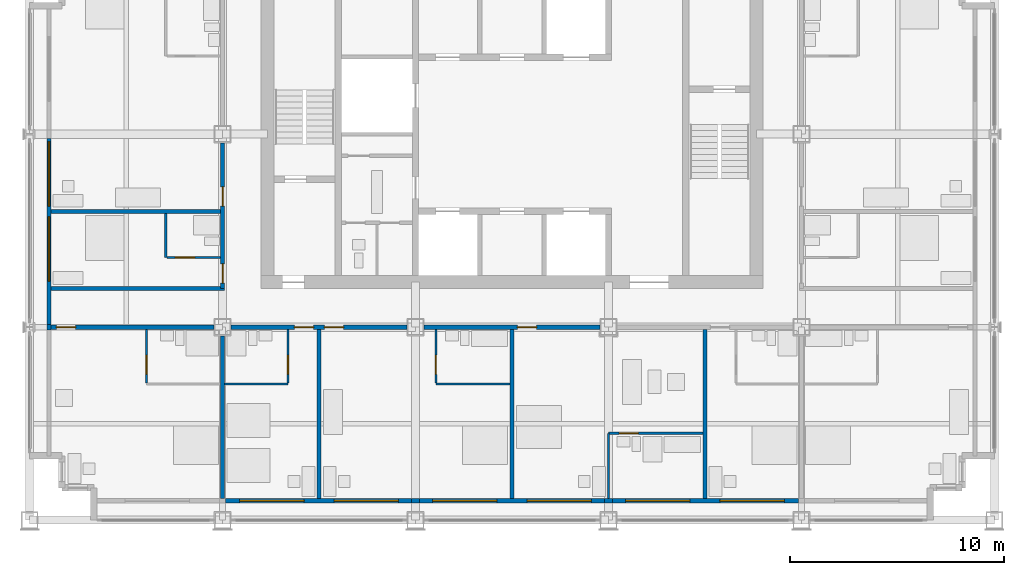
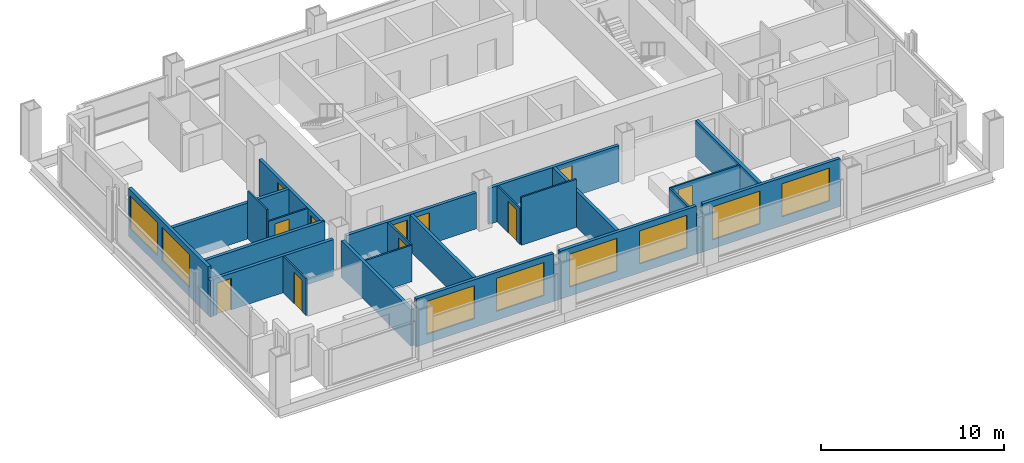
# One storey, part 7 of 13: 26 walls, 11 doors, 8 windows, 19 openings.
"""IFC4 building model written with IfcOpenShell, lengths in metres."""

from ifc_helpers import new_model, si_unit, direction, frame, frame_2d, origin, place, context, subcontext, project, spatial, rectangle, extrude, material, layer, layer_set, type_object, element, fill, save


model = new_model("IFC4")

# Units and contexts
model_context = context("Model", 3, precision=1e-05, world=origin(), true_north=direction((0.0, 1.0)))
body_context = subcontext(model_context, "Body", "Model", "MODEL_VIEW")
ifc_project = project(units=[si_unit("LENGTHUNIT", "METRE"), si_unit("AREAUNIT", "SQUARE_METRE"), si_unit("VOLUMEUNIT", "CUBIC_METRE"), si_unit("PLANEANGLEUNIT", "RADIAN"), si_unit("MASSUNIT", "GRAM", prefix="KILO")], contexts=[model_context])

# Site, building, storey
site_placement = place(None, origin())
site = spatial("IfcSite", under=ifc_project, at=site_placement, CompositionType="ELEMENT")
building_placement = place(site_placement, origin())
building = spatial("IfcBuilding", under=site, at=building_placement, Name="Loomwork Tower", CompositionType="ELEMENT")
storey_placement = place(building_placement, frame((0.0, 0.0, 211.39990234375)))
storey = spatial("IfcBuildingStorey", under=building, at=storey_placement, Name="L58", CompositionType="ELEMENT", Elevation=211.39990234375)

# Wall, opening, door
ifc_material_1 = material(Name="Gypsum board on steel studs, one-hour", Category="steel")
ifc_layer_1 = layer(ifc_material_1, 0.199951171875)
ifc_layer_set_1 = layer_set([ifc_layer_1], Name="Corridor wall 200")
wall_type_1 = type_object("IfcWallType", Name="Corridor wall 200", PredefinedType="PARTITIONING", material=ifc_layer_set_1)
wall_1_placement = place(storey_placement, frame((1.0, 9.0, 0.0), z_axis=(0.0, 0.0, 1.0), x_axis=(1.0, 0.0, 0.0)))
wall_1 = element("IfcWall", 1, at=wall_1_placement, inside=storey, type_object=wall_type_1, Name="South corridor wall 1", PredefinedType="PARTITIONING", context=body_context, shape_type="SweptSolid", body=[
    extrude(rectangle(XDim=7.60009765625, YDim=0.199951171875, at=frame_2d((3.800048828125, 0.0))), origin(), (0.0, 0.0, 1.0), 2.43798828125),
])
opening_1_placement = place(wall_1_placement, frame((0.25, 0.0, 0.0)))
opening_1 = element("IfcOpeningElement", 2, at=opening_1_placement, cuts=wall_1, Name="Opening D1", PredefinedType="OPENING", context=body_context, shape_type="SweptSolid", body=[
    extrude(rectangle(XDim=0.89990234375, YDim=2.10009765625, at=frame_2d((0.449951171875, 1.050048828125))), frame((0.0, 0.10986328125, 0.0), z_axis=(0.0, -1.0, 0.0), x_axis=(1.0, 0.0, 0.0)), (0.0, 0.0, 1.0), 0.219970703125),
])
ifc_material_2 = material(Name="Hollow metal door and frame")
door_type_1 = type_object("IfcDoorType", Name="Guest room entry door 900", OperationType="SINGLE_SWING_LEFT", PredefinedType="DOOR", material=ifc_material_2)
door_1_placement = place(opening_1_placement, frame((0.89990234375, 0.0, 0.0), z_axis=(0.0, 0.0, 1.0), x_axis=(-1.0, 0.0, 0.0)))
door_1 = element("IfcDoor", 3, at=door_1_placement, inside=storey, type_object=door_type_1, Name="Guest room entry door L58 1", OperationType="SINGLE_SWING_RIGHT", OverallHeight=2.10009765625, OverallWidth=0.89990234375, PredefinedType="DOOR", context=body_context, shape_type="SweptSolid", body=[
    extrude(rectangle(XDim=0.89990234375, YDim=2.10009765625, at=frame_2d((0.449951171875, 1.050048828125))), frame((0.0, 0.02490234375, 0.0), z_axis=(0.0, -1.0, 0.0), x_axis=(1.0, 0.0, 0.0)), (0.0, 0.0, 1.0), 0.050048828125),
])
fill(opening_1, door_1)

# Wall, openings, doors
wall_2_placement = place(storey_placement, frame((9.39990234375, 9.0, 0.0), z_axis=(0.0, 0.0, 1.0), x_axis=(1.0, 0.0, 0.0)))
wall_2 = element("IfcWall", 4, at=wall_2_placement, inside=storey, type_object=wall_type_1, Name="South corridor wall 2", PredefinedType="PARTITIONING", context=body_context, shape_type="SweptSolid", body=[
    extrude(rectangle(XDim=8.2001953125, YDim=0.199951171875, at=frame_2d((4.10009765625, 0.0))), origin(), (0.0, 0.0, 1.0), 2.405029296875),
])
opening_2_placement = place(wall_2_placement, frame((2.949951171875, 0.0, 0.0)))
opening_2 = element("IfcOpeningElement", 5, at=opening_2_placement, cuts=wall_2, Name="Opening D1", PredefinedType="OPENING", context=body_context, shape_type="SweptSolid", body=[
    extrude(rectangle(XDim=0.89990234375, YDim=2.10009765625, at=frame_2d((0.449951171875, 1.050048828125))), frame((0.0, 0.10986328125, 0.0), z_axis=(0.0, -1.0, 0.0), x_axis=(1.0, 0.0, 0.0)), (0.0, 0.0, 1.0), 0.219970703125),
])
opening_3_placement = place(wall_2_placement, frame((4.35009765625, 0.0, 0.0)))
opening_3 = element("IfcOpeningElement", 6, at=opening_3_placement, cuts=wall_2, Name="Opening D1", PredefinedType="OPENING", context=body_context, shape_type="SweptSolid", body=[
    extrude(rectangle(XDim=0.89990234375, YDim=2.10009765625, at=frame_2d((0.449951171875, 1.050048828125))), frame((0.0, 0.10986328125, 0.0), z_axis=(0.0, -1.0, 0.0), x_axis=(1.0, 0.0, 0.0)), (0.0, 0.0, 1.0), 0.219970703125),
])
door_2_placement = place(opening_2_placement, frame((0.89990234375, 0.0, 0.0), z_axis=(0.0, 0.0, 1.0), x_axis=(-1.0, 0.0, 0.0)))
door_2 = element("IfcDoor", 7, at=door_2_placement, inside=storey, type_object=door_type_1, Name="Guest room entry door L58 2", OperationType="SINGLE_SWING_LEFT", OverallHeight=2.10009765625, OverallWidth=0.89990234375, PredefinedType="DOOR", context=body_context, shape_type="SweptSolid", body=[
    extrude(rectangle(XDim=0.89990234375, YDim=2.10009765625, at=frame_2d((0.449951171875, 1.050048828125))), frame((0.0, 0.02490234375, 0.0), z_axis=(0.0, -1.0, 0.0), x_axis=(1.0, 0.0, 0.0)), (0.0, 0.0, 1.0), 0.050048828125),
])
fill(opening_2, door_2)
door_3_placement = place(opening_3_placement, frame((0.89990234375, 0.0, 0.0), z_axis=(0.0, 0.0, 1.0), x_axis=(-1.0, 0.0, 0.0)))
door_3 = element("IfcDoor", 8, at=door_3_placement, inside=storey, type_object=door_type_1, Name="Guest room entry door L58 3", OperationType="SINGLE_SWING_RIGHT", OverallHeight=2.10009765625, OverallWidth=0.89990234375, PredefinedType="DOOR", context=body_context, shape_type="SweptSolid", body=[
    extrude(rectangle(XDim=0.89990234375, YDim=2.10009765625, at=frame_2d((0.449951171875, 1.050048828125))), frame((0.0, 0.02490234375, 0.0), z_axis=(0.0, -1.0, 0.0), x_axis=(1.0, 0.0, 0.0)), (0.0, 0.0, 1.0), 0.050048828125),
])
fill(opening_3, door_3)

# Wall, opening, door
wall_3_placement = place(storey_placement, frame((18.39990234375, 9.0, 0.0), z_axis=(0.0, 0.0, 1.0), x_axis=(1.0, 0.0, 0.0)))
wall_3 = element("IfcWall", 9, at=wall_3_placement, inside=storey, type_object=wall_type_1, Name="South corridor wall 3", PredefinedType="PARTITIONING", context=body_context, shape_type="SweptSolid", body=[
    extrude(rectangle(XDim=8.2001953125, YDim=0.199951171875, at=frame_2d((4.10009765625, 0.0))), origin(), (0.0, 0.0, 1.0), 2.405029296875),
])
opening_4_placement = place(wall_3_placement, frame((4.35009765625, 0.0, 0.0)))
opening_4 = element("IfcOpeningElement", 10, at=opening_4_placement, cuts=wall_3, Name="Opening D1", PredefinedType="OPENING", context=body_context, shape_type="SweptSolid", body=[
    extrude(rectangle(XDim=0.89990234375, YDim=2.10009765625, at=frame_2d((0.449951171875, 1.050048828125))), frame((0.0, 0.10986328125, 0.0), z_axis=(0.0, -1.0, 0.0), x_axis=(1.0, 0.0, 0.0)), (0.0, 0.0, 1.0), 0.219970703125),
])
door_4_placement = place(opening_4_placement, frame((0.89990234375, 0.0, 0.0), z_axis=(0.0, 0.0, 1.0), x_axis=(-1.0, 0.0, 0.0)))
door_4 = element("IfcDoor", 11, at=door_4_placement, inside=storey, type_object=door_type_1, Name="Guest room entry door L58 4", OperationType="SINGLE_SWING_RIGHT", OverallHeight=2.10009765625, OverallWidth=0.89990234375, PredefinedType="DOOR", context=body_context, shape_type="SweptSolid", body=[
    extrude(rectangle(XDim=0.89990234375, YDim=2.10009765625, at=frame_2d((0.449951171875, 1.050048828125))), frame((0.0, 0.02490234375, 0.0), z_axis=(0.0, -1.0, 0.0), x_axis=(1.0, 0.0, 0.0)), (0.0, 0.0, 1.0), 0.050048828125),
])
fill(opening_4, door_4)

# Wall, openings, doors
wall_4_placement = place(storey_placement, frame((9.0, 10.800048828125, 0.0), z_axis=(0.0, 0.0, 1.0), x_axis=(0.0, 1.0, 0.0)))
wall_4 = element("IfcWall", 12, at=wall_4_placement, inside=storey, type_object=wall_type_1, Name="West corridor wall 1", PredefinedType="PARTITIONING", context=body_context, shape_type="SweptSolid", body=[
    extrude(rectangle(XDim=6.800048828125, YDim=0.199951171875, at=frame_2d((3.39990234375, 0.0))), origin(), (0.0, 0.0, 1.0), 2.405029296875),
])
opening_5_placement = place(wall_4_placement, frame((0.25, 0.0, 0.0)))
opening_5 = element("IfcOpeningElement", 13, at=opening_5_placement, cuts=wall_4, Name="Opening D1", PredefinedType="OPENING", context=body_context, shape_type="SweptSolid", body=[
    extrude(rectangle(XDim=0.89990234375, YDim=2.10009765625, at=frame_2d((0.449951171875, 1.050048828125))), frame((0.0, 0.10986328125, 0.0), z_axis=(0.0, -1.0, 0.0), x_axis=(1.0, 0.0, 0.0)), (0.0, 0.0, 1.0), 0.219970703125),
])
opening_6_placement = place(wall_4_placement, frame((3.85009765625, 0.0, 0.0)))
opening_6 = element("IfcOpeningElement", 14, at=opening_6_placement, cuts=wall_4, Name="Opening D1", PredefinedType="OPENING", context=body_context, shape_type="SweptSolid", body=[
    extrude(rectangle(XDim=0.89990234375, YDim=2.10009765625, at=frame_2d((0.449951171875, 1.050048828125))), frame((0.0, 0.10986328125, 0.0), z_axis=(0.0, -1.0, 0.0), x_axis=(1.0, 0.0, 0.0)), (0.0, 0.0, 1.0), 0.219970703125),
])
door_5_placement = place(opening_5_placement, origin())
door_5 = element("IfcDoor", 15, at=door_5_placement, inside=storey, type_object=door_type_1, Name="Guest room entry door L58 7", OperationType="SINGLE_SWING_LEFT", OverallHeight=2.10009765625, OverallWidth=0.89990234375, PredefinedType="DOOR", context=body_context, shape_type="SweptSolid", body=[
    extrude(rectangle(XDim=0.89990234375, YDim=2.10009765625, at=frame_2d((0.449951171875, 1.050048828125))), frame((0.0, 0.02490234375, 0.0), z_axis=(0.0, -1.0, 0.0), x_axis=(1.0, 0.0, 0.0)), (0.0, 0.0, 1.0), 0.050048828125),
])
fill(opening_5, door_5)
door_6_placement = place(opening_6_placement, origin())
door_6 = element("IfcDoor", 16, at=door_6_placement, inside=storey, type_object=door_type_1, Name="Guest room entry door L58 8", OperationType="SINGLE_SWING_LEFT", OverallHeight=2.10009765625, OverallWidth=0.89990234375, PredefinedType="DOOR", context=body_context, shape_type="SweptSolid", body=[
    extrude(rectangle(XDim=0.89990234375, YDim=2.10009765625, at=frame_2d((0.449951171875, 1.050048828125))), frame((0.0, 0.02490234375, 0.0), z_axis=(0.0, -1.0, 0.0), x_axis=(1.0, 0.0, 0.0)), (0.0, 0.0, 1.0), 0.050048828125),
])
fill(opening_6, door_6)

# Wall
wall_5_placement = place(storey_placement, frame((1.0, 10.800048828125, 0.0), z_axis=(0.0, 0.0, 1.0), x_axis=(1.0, 0.0, 0.0)))
element("IfcWall", 17, at=wall_5_placement, inside=storey, type_object=wall_type_1, Name="West band end wall S", PredefinedType="PARTITIONING", context=body_context, shape_type="SweptSolid", body=[
    extrude(rectangle(XDim=8.10009765625, YDim=0.199951171875, at=frame_2d((4.050048828125, 0.0))), origin(), (0.0, 0.0, 1.0), 2.404052734375),
])

# Wall, opening, door
ifc_material_3 = material(Name="Cement board on steel studs", Category="steel")
ifc_layer_2 = layer(ifc_material_3, 0.10009765625)
ifc_layer_set_2 = layer_set([ifc_layer_2], Name="En-suite partition 100")
wall_type_2 = type_object("IfcWallType", Name="En-suite partition 100", PredefinedType="PARTITIONING", material=ifc_layer_set_2)
wall_6_placement = place(storey_placement, frame((5.449951171875, 8.89990234375, 0.0), z_axis=(0.0, 0.0, 1.0), x_axis=(0.0, -1.0, 0.0)))
wall_6 = element("IfcWall", 18, at=wall_6_placement, inside=storey, type_object=wall_type_2, Name="En-suite side wall L58 room 1", PredefinedType="PARTITIONING", context=body_context, shape_type="SweptSolid", body=[
    extrude(rectangle(XDim=2.5, YDim=0.10009765625, at=frame_2d((1.25, 0.0))), origin(), (0.0, 0.0, 1.0), 2.43798828125),
])
opening_7_placement = place(wall_6_placement, frame((1.199951171875, 0.0, 0.0)))
opening_7 = element("IfcOpeningElement", 19, at=opening_7_placement, cuts=wall_6, Name="Opening D3", PredefinedType="OPENING", context=body_context, shape_type="SweptSolid", body=[
    extrude(rectangle(XDim=0.89990234375, YDim=2.10009765625, at=frame_2d((0.449951171875, 1.050048828125))), frame((0.0, 0.06005859375, 0.0), z_axis=(0.0, -1.0, 0.0), x_axis=(1.0, 0.0, 0.0)), (0.0, 0.0, 1.0), 0.1201171875),
])
ifc_material_4 = material(Name="Hollow metal door and frame")
door_type_2 = type_object("IfcDoorType", Name="Accessible en-suite door 900", OperationType="SLIDING_TO_LEFT", PredefinedType="DOOR", material=ifc_material_4)
door_7_placement = place(opening_7_placement, origin())
door_7 = element("IfcDoor", 20, at=door_7_placement, inside=storey, type_object=door_type_2, Name="Accessible en-suite door room 1", OperationType="SLIDING_TO_LEFT", OverallHeight=2.10009765625, OverallWidth=0.89990234375, PredefinedType="DOOR", context=body_context, shape_type="SweptSolid", body=[
    extrude(rectangle(XDim=0.89990234375, YDim=2.10009765625, at=frame_2d((0.449951171875, 1.050048828125))), frame((0.0, 0.02490234375, 0.0), z_axis=(0.0, -1.0, 0.0), x_axis=(1.0, 0.0, 0.0)), (0.0, 0.0, 1.0), 0.050048828125),
])
fill(opening_7, door_7)

# Wall
wall_7_placement = place(storey_placement, frame((9.10009765625, 6.35009765625, 0.0), z_axis=(0.0, 0.0, 1.0), x_axis=(1.0, 0.0, 0.0)))
element("IfcWall", 21, at=wall_7_placement, inside=storey, type_object=wall_type_2, Name="En-suite wall L58 room 2", PredefinedType="PARTITIONING", context=body_context, shape_type="SweptSolid", body=[
    extrude(rectangle(XDim=2.949951171875, YDim=0.10009765625, at=frame_2d((1.47509765625, 0.0))), origin(), (0.0, 0.0, 1.0), 2.43798828125),
])

# Wall, opening, door
wall_8_placement = place(storey_placement, frame((12.050048828125, 8.89990234375, 0.0), z_axis=(0.0, 0.0, 1.0), x_axis=(0.0, -1.0, 0.0)))
wall_8 = element("IfcWall", 22, at=wall_8_placement, inside=storey, type_object=wall_type_2, Name="En-suite side wall L58 room 2", PredefinedType="PARTITIONING", context=body_context, shape_type="SweptSolid", body=[
    extrude(rectangle(XDim=2.5, YDim=0.10009765625, at=frame_2d((1.25, 0.0))), origin(), (0.0, 0.0, 1.0), 2.404052734375),
])
opening_8_placement = place(wall_8_placement, frame((1.199951171875, 0.0, 0.0)))
opening_8 = element("IfcOpeningElement", 23, at=opening_8_placement, cuts=wall_8, Name="Opening D2", PredefinedType="OPENING", context=body_context, shape_type="SweptSolid", body=[
    extrude(rectangle(XDim=0.89990234375, YDim=2.10009765625, at=frame_2d((0.449951171875, 1.050048828125))), frame((0.0, 0.06005859375, 0.0), z_axis=(0.0, -1.0, 0.0), x_axis=(1.0, 0.0, 0.0)), (0.0, 0.0, 1.0), 0.1201171875),
])
ifc_material_5 = material(Name="Hollow metal door and frame")
door_type_3 = type_object("IfcDoorType", Name="En-suite door 900", OperationType="SINGLE_SWING_LEFT", PredefinedType="DOOR", material=ifc_material_5)
door_8_placement = place(opening_8_placement, frame((0.89990234375, 0.0, 0.0), z_axis=(0.0, 0.0, 1.0), x_axis=(-1.0, 0.0, 0.0)))
door_8 = element("IfcDoor", 24, at=door_8_placement, inside=storey, type_object=door_type_3, Name="En-suite door room 2", OperationType="SINGLE_SWING_LEFT", OverallHeight=2.10009765625, OverallWidth=0.89990234375, PredefinedType="DOOR", context=body_context, shape_type="SweptSolid", body=[
    extrude(rectangle(XDim=0.89990234375, YDim=2.10009765625, at=frame_2d((0.449951171875, 1.050048828125))), frame((0.0, 0.02490234375, 0.0), z_axis=(0.0, -1.0, 0.0), x_axis=(1.0, 0.0, 0.0)), (0.0, 0.0, 1.0), 0.050048828125),
])
fill(opening_8, door_8)

# Wall
wall_9_placement = place(storey_placement, frame((18.949951171875, 6.35009765625, 0.0), z_axis=(0.0, 0.0, 1.0), x_axis=(1.0, 0.0, 0.0)))
element("IfcWall", 25, at=wall_9_placement, inside=storey, type_object=wall_type_2, Name="En-suite wall L58 room 3", PredefinedType="PARTITIONING", context=body_context, shape_type="SweptSolid", body=[
    extrude(rectangle(XDim=3.449951171875, YDim=0.10009765625, at=frame_2d((1.72509765625, 0.0))), origin(), (0.0, 0.0, 1.0), 3.2001953125),
])

# Wall, opening, door
wall_10_placement = place(storey_placement, frame((18.949951171875, 8.89990234375, 0.0), z_axis=(0.0, 0.0, 1.0), x_axis=(0.0, -1.0, 0.0)))
wall_10 = element("IfcWall", 26, at=wall_10_placement, inside=storey, type_object=wall_type_2, Name="En-suite side wall L58 room 3", PredefinedType="PARTITIONING", context=body_context, shape_type="SweptSolid", body=[
    extrude(rectangle(XDim=2.5, YDim=0.10009765625, at=frame_2d((1.25, 0.0))), origin(), (0.0, 0.0, 1.0), 2.404052734375),
])
opening_9_placement = place(wall_10_placement, frame((1.199951171875, 0.0, 0.0)))
opening_9 = element("IfcOpeningElement", 27, at=opening_9_placement, cuts=wall_10, Name="Opening D2", PredefinedType="OPENING", context=body_context, shape_type="SweptSolid", body=[
    extrude(rectangle(XDim=0.89990234375, YDim=2.10009765625, at=frame_2d((0.449951171875, 1.050048828125))), frame((0.0, 0.06005859375, 0.0), z_axis=(0.0, -1.0, 0.0), x_axis=(1.0, 0.0, 0.0)), (0.0, 0.0, 1.0), 0.1201171875),
])
door_9_placement = place(opening_9_placement, origin())
door_9 = element("IfcDoor", 28, at=door_9_placement, inside=storey, type_object=door_type_3, Name="En-suite door room 3", OperationType="SINGLE_SWING_RIGHT", OverallHeight=2.10009765625, OverallWidth=0.89990234375, PredefinedType="DOOR", context=body_context, shape_type="SweptSolid", body=[
    extrude(rectangle(XDim=0.89990234375, YDim=2.10009765625, at=frame_2d((0.449951171875, 1.050048828125))), frame((0.0, 0.02490234375, 0.0), z_axis=(0.0, -1.0, 0.0), x_axis=(1.0, 0.0, 0.0)), (0.0, 0.0, 1.0), 0.050048828125),
])
fill(opening_9, door_9)

wall_11_placement = place(storey_placement, frame((27.0, 4.050048828125, 0.0), z_axis=(0.0, 0.0, 1.0), x_axis=(1.0, 0.0, 0.0)))
wall_11 = element("IfcWall", 29, at=wall_11_placement, inside=storey, type_object=wall_type_2, Name="Spa bathroom wall L58 room 4", PredefinedType="PARTITIONING", context=body_context, shape_type="SweptSolid", body=[
    extrude(rectangle(XDim=4.39990234375, YDim=0.10009765625, at=frame_2d((2.199951171875, 0.0))), origin(), (0.0, 0.0, 1.0), 2.404052734375),
])
opening_10_placement = place(wall_11_placement, frame((0.5, 0.0, 0.0)))
opening_10 = element("IfcOpeningElement", 30, at=opening_10_placement, cuts=wall_11, Name="Opening D2", PredefinedType="OPENING", context=body_context, shape_type="SweptSolid", body=[
    extrude(rectangle(XDim=0.89990234375, YDim=2.10009765625, at=frame_2d((0.449951171875, 1.050048828125))), frame((0.0, 0.06005859375, 0.0), z_axis=(0.0, -1.0, 0.0), x_axis=(1.0, 0.0, 0.0)), (0.0, 0.0, 1.0), 0.1201171875),
])
door_10_placement = place(opening_10_placement, frame((0.89990234375, 0.0, 0.0), z_axis=(0.0, 0.0, 1.0), x_axis=(-1.0, 0.0, 0.0)))
door_10 = element("IfcDoor", 31, at=door_10_placement, inside=storey, type_object=door_type_3, Name="Spa bathroom door room 4", OperationType="SINGLE_SWING_RIGHT", OverallHeight=2.10009765625, OverallWidth=0.89990234375, PredefinedType="DOOR", context=body_context, shape_type="SweptSolid", body=[
    extrude(rectangle(XDim=0.89990234375, YDim=2.10009765625, at=frame_2d((0.449951171875, 1.050048828125))), frame((0.0, 0.02490234375, 0.0), z_axis=(0.0, -1.0, 0.0), x_axis=(1.0, 0.0, 0.0)), (0.0, 0.0, 1.0), 0.050048828125),
])
fill(opening_10, door_10)

# Walls
wall_12_placement = place(storey_placement, frame((27.0, 4.050048828125, 0.0), z_axis=(0.0, 0.0, 1.0), x_axis=(0.0, -1.0, 0.0)))
element("IfcWall", 32, at=wall_12_placement, inside=storey, type_object=wall_type_2, Name="Spa bathroom side wall L58 room 4", PredefinedType="PARTITIONING", context=body_context, shape_type="SweptSolid", body=[
    extrude(rectangle(XDim=3.050048828125, YDim=0.10009765625, at=frame_2d((1.52490234375, 0.0))), origin(), (0.0, 0.0, 1.0), 2.405029296875),
])
wall_13_placement = place(storey_placement, frame((6.35009765625, 12.25, 0.0), z_axis=(0.0, 0.0, 1.0), x_axis=(0.0, 1.0, 0.0)))
element("IfcWall", 33, at=wall_13_placement, inside=storey, type_object=wall_type_2, Name="En-suite wall L58 room 7", PredefinedType="PARTITIONING", context=body_context, shape_type="SweptSolid", body=[
    extrude(rectangle(XDim=2.050048828125, YDim=0.10009765625, at=frame_2d((1.02490234375, 0.0))), origin(), (0.0, 0.0, 1.0), 3.2001953125),
])

# Wall, opening, door
wall_14_placement = place(storey_placement, frame((8.89990234375, 12.25, 0.0), z_axis=(0.0, 0.0, 1.0), x_axis=(-1.0, 0.0, 0.0)))
wall_14 = element("IfcWall", 34, at=wall_14_placement, inside=storey, type_object=wall_type_2, Name="En-suite side wall L58 room 7", PredefinedType="PARTITIONING", context=body_context, shape_type="SweptSolid", body=[
    extrude(rectangle(XDim=2.5, YDim=0.10009765625, at=frame_2d((1.25, 0.0))), origin(), (0.0, 0.0, 1.0), 2.404052734375),
])
opening_11_placement = place(wall_14_placement, frame((1.199951171875, 0.0, 0.0)))
opening_11 = element("IfcOpeningElement", 35, at=opening_11_placement, cuts=wall_14, Name="Opening D2", PredefinedType="OPENING", context=body_context, shape_type="SweptSolid", body=[
    extrude(rectangle(XDim=0.89990234375, YDim=2.10009765625, at=frame_2d((0.449951171875, 1.050048828125))), frame((0.0, 0.06005859375, 0.0), z_axis=(0.0, -1.0, 0.0), x_axis=(1.0, 0.0, 0.0)), (0.0, 0.0, 1.0), 0.1201171875),
])
door_11_placement = place(opening_11_placement, frame((0.89990234375, 0.0, 0.0), z_axis=(0.0, 0.0, 1.0), x_axis=(-1.0, 0.0, 0.0)))
door_11 = element("IfcDoor", 36, at=door_11_placement, inside=storey, type_object=door_type_3, Name="En-suite door room 7", OperationType="SINGLE_SWING_LEFT", OverallHeight=2.10009765625, OverallWidth=0.89990234375, PredefinedType="DOOR", context=body_context, shape_type="SweptSolid", body=[
    extrude(rectangle(XDim=0.89990234375, YDim=2.10009765625, at=frame_2d((0.449951171875, 1.050048828125))), frame((0.0, 0.02490234375, 0.0), z_axis=(0.0, -1.0, 0.0), x_axis=(1.0, 0.0, 0.0)), (0.0, 0.0, 1.0), 0.050048828125),
])
fill(opening_11, door_11)

# Walls
ifc_material_6 = material(Name="Gypsum board on steel studs, acoustic", Category="steel")
ifc_layer_3 = layer(ifc_material_6, 0.199951171875)
ifc_layer_set_3 = layer_set([ifc_layer_3], Name="Guest room party wall 200")
wall_type_3 = type_object("IfcWallType", Name="Guest room party wall 200", PredefinedType="PARTITIONING", material=ifc_layer_set_3)
wall_15_placement = place(storey_placement, frame((9.0, 8.60009765625, 0.0), z_axis=(0.0, 0.0, 1.0), x_axis=(0.0, -1.0, 0.0)))
element("IfcWall", 37, at=wall_15_placement, inside=storey, type_object=wall_type_3, Name="Guest room party wall S 9", PredefinedType="PARTITIONING", context=body_context, shape_type="SweptSolid", body=[
    extrude(rectangle(XDim=7.60009765625, YDim=0.199951171875, at=frame_2d((3.800048828125, 0.0))), origin(), (0.0, 0.0, 1.0), 2.43798828125),
])
for number, where, z_axis, x_axis, name in (
    (38, (13.5, 8.89990234375, 0.0), (0.0, 0.0, 1.0), (0.0, -1.0, 0.0), "Guest room party wall S 13.5"),
    (39, (22.5, 8.89990234375, 0.0), (0.0, 0.0, 1.0), (0.0, -1.0, 0.0), "Guest room party wall S 22.5"),
    (40, (31.5, 8.89990234375, 0.0), (0.0, 0.0, 1.0), (0.0, -1.0, 0.0), "Guest room party wall S 31.5"),
    (41, (8.89990234375, 14.39990234375, 0.0), (0.0, 0.0, 1.0), (-1.0, 0.0, 0.0), "Guest room party wall W 14.4"),
):
    element("IfcWall", number, at=place(storey_placement, frame(where, z_axis=z_axis, x_axis=x_axis)), inside=storey, type_object=wall_type_3, Name=name, PredefinedType="PARTITIONING", context=body_context, shape_type="SweptSolid", body=[
        extrude(rectangle(XDim=7.89990234375, YDim=0.199951171875, at=frame_2d((3.949951171875, 0.0))), origin(), (0.0, 0.0, 1.0), 2.404052734375),
    ])

# Wall, openings, windows
ifc_material_7 = material(Name="Insulated steel stud wall with gypsum lining", Category="steel")
ifc_layer_4 = layer(ifc_material_7, 0.199951171875)
ifc_layer_set_4 = layer_set([ifc_layer_4], Name="Inner skin wall 200")
wall_type_4 = type_object("IfcWallType", Name="Inner skin wall 200", PredefinedType="SOLIDWALL", material=ifc_layer_set_4)
wall_16_placement = place(storey_placement, frame((9.13525390625, 0.89990234375, 0.0), z_axis=(0.0, 0.0, 1.0), x_axis=(1.0, 0.0, 0.0)))
wall_16 = element("IfcWall", 42, at=wall_16_placement, inside=storey, type_object=wall_type_4, Name="Inner skin wall S bay 3", PredefinedType="SOLIDWALL", context=body_context, shape_type="SweptSolid", body=[
    extrude(rectangle(XDim=8.6708984375, YDim=0.199951171875, at=frame_2d((4.33544921875, 0.0))), origin(), (0.0, 0.0, 1.0), 3.2001953125),
])
opening_12_placement = place(wall_16_placement, frame((0.664794921875, 0.0, 0.60009765625)))
opening_12 = element("IfcOpeningElement", 43, at=opening_12_placement, cuts=wall_16, Name="Opening CH1", PredefinedType="OPENING", context=body_context, shape_type="SweptSolid", body=[
    extrude(rectangle(XDim=3.0, YDim=2.199951171875, at=frame_2d((1.5, 1.10009765625))), frame((0.0, 0.10986328125, 0.0), z_axis=(0.0, -1.0, 0.0), x_axis=(1.0, 0.0, 0.0)), (0.0, 0.0, 1.0), 0.219970703125),
])
opening_13_placement = place(wall_16_placement, frame((5.064697265625, 0.0, 0.60009765625)))
opening_13 = element("IfcOpeningElement", 44, at=opening_13_placement, cuts=wall_16, Name="Opening CH1", PredefinedType="OPENING", context=body_context, shape_type="SweptSolid", body=[
    extrude(rectangle(XDim=3.0, YDim=2.199951171875, at=frame_2d((1.5, 1.10009765625))), frame((0.0, 0.10986328125, 0.0), z_axis=(0.0, -1.0, 0.0), x_axis=(1.0, 0.0, 0.0)), (0.0, 0.0, 1.0), 0.219970703125),
])
ifc_material_8 = material(Name="Aluminium frame with clear insulated glass", Category="aluminium")
window_type = type_object("IfcWindowType", Name="Chicago window 3000", PartitioningType="TRIPLE_PANEL_VERTICAL", PredefinedType="WINDOW", material=ifc_material_8)
window_1_placement = place(opening_12_placement, origin())
window_1 = element("IfcWindow", 45, at=window_1_placement, inside=storey, type_object=window_type, Name="Chicago window L58 bay 2", OverallHeight=2.199951171875, OverallWidth=3.0, PartitioningType="TRIPLE_PANEL_VERTICAL", PredefinedType="WINDOW", context=body_context, shape_type="SweptSolid", body=[
    extrude(rectangle(XDim=3.0, YDim=2.199951171875, at=frame_2d((1.5, 1.10009765625))), frame((0.0, 0.030029296875, 0.0), z_axis=(0.0, -1.0, 0.0), x_axis=(1.0, 0.0, 0.0)), (0.0, 0.0, 1.0), 0.06005859375),
])
fill(opening_12, window_1)
window_2_placement = place(opening_13_placement, origin())
window_2 = element("IfcWindow", 46, at=window_2_placement, inside=storey, type_object=window_type, Name="Chicago window L58 bay 2", OverallHeight=2.199951171875, OverallWidth=3.0, PartitioningType="TRIPLE_PANEL_VERTICAL", PredefinedType="WINDOW", context=body_context, shape_type="SweptSolid", body=[
    extrude(rectangle(XDim=3.0, YDim=2.199951171875, at=frame_2d((1.5, 1.10009765625))), frame((0.0, 0.030029296875, 0.0), z_axis=(0.0, -1.0, 0.0), x_axis=(1.0, 0.0, 0.0)), (0.0, 0.0, 1.0), 0.06005859375),
])
fill(opening_13, window_2)

# Wall
wall_17_placement = place(storey_placement, frame((17.80615234375, 0.89990234375, 0.0), z_axis=(0.0, 0.0, 1.0), x_axis=(1.0, 0.0, 0.0)))
element("IfcWall", 47, at=wall_17_placement, inside=storey, type_object=wall_type_4, Name="Inner skin wall S bay 4", PredefinedType="SOLIDWALL", context=body_context, shape_type="SweptSolid", body=[
    extrude(rectangle(XDim=0.3876953125, YDim=0.199951171875, at=frame_2d((0.19384765625, 0.0))), origin(), (0.0, 0.0, 1.0), 2.404052734375),
])

# Wall, openings, windows
wall_18_placement = place(storey_placement, frame((18.19384765625, 0.89990234375, 0.0), z_axis=(0.0, 0.0, 1.0), x_axis=(1.0, 0.0, 0.0)))
wall_18 = element("IfcWall", 48, at=wall_18_placement, inside=storey, type_object=wall_type_4, Name="Inner skin wall S bay 5", PredefinedType="SOLIDWALL", context=body_context, shape_type="SweptSolid", body=[
    extrude(rectangle(XDim=8.6123046875, YDim=0.199951171875, at=frame_2d((4.30615234375, 0.0))), origin(), (0.0, 0.0, 1.0), 3.2001953125),
])
opening_14_placement = place(wall_18_placement, frame((0.606201171875, 0.0, 0.60009765625)))
opening_14 = element("IfcOpeningElement", 49, at=opening_14_placement, cuts=wall_18, Name="Opening CH1", PredefinedType="OPENING", context=body_context, shape_type="SweptSolid", body=[
    extrude(rectangle(XDim=3.0, YDim=2.199951171875, at=frame_2d((1.5, 1.10009765625))), frame((0.0, 0.10986328125, 0.0), z_axis=(0.0, -1.0, 0.0), x_axis=(1.0, 0.0, 0.0)), (0.0, 0.0, 1.0), 0.219970703125),
])
opening_15_placement = place(wall_18_placement, frame((5.006103515625, 0.0, 0.60009765625)))
opening_15 = element("IfcOpeningElement", 50, at=opening_15_placement, cuts=wall_18, Name="Opening CH1", PredefinedType="OPENING", context=body_context, shape_type="SweptSolid", body=[
    extrude(rectangle(XDim=3.0, YDim=2.199951171875, at=frame_2d((1.5, 1.10009765625))), frame((0.0, 0.10986328125, 0.0), z_axis=(0.0, -1.0, 0.0), x_axis=(1.0, 0.0, 0.0)), (0.0, 0.0, 1.0), 0.219970703125),
])
window_3_placement = place(opening_14_placement, origin())
window_3 = element("IfcWindow", 51, at=window_3_placement, inside=storey, type_object=window_type, Name="Chicago window L58 bay 3", OverallHeight=2.199951171875, OverallWidth=3.0, PartitioningType="TRIPLE_PANEL_VERTICAL", PredefinedType="WINDOW", context=body_context, shape_type="SweptSolid", body=[
    extrude(rectangle(XDim=3.0, YDim=2.199951171875, at=frame_2d((1.5, 1.10009765625))), frame((0.0, 0.030029296875, 0.0), z_axis=(0.0, -1.0, 0.0), x_axis=(1.0, 0.0, 0.0)), (0.0, 0.0, 1.0), 0.06005859375),
])
fill(opening_14, window_3)
window_4_placement = place(opening_15_placement, origin())
window_4 = element("IfcWindow", 52, at=window_4_placement, inside=storey, type_object=window_type, Name="Chicago window L58 bay 3", OverallHeight=2.199951171875, OverallWidth=3.0, PartitioningType="TRIPLE_PANEL_VERTICAL", PredefinedType="WINDOW", context=body_context, shape_type="SweptSolid", body=[
    extrude(rectangle(XDim=3.0, YDim=2.199951171875, at=frame_2d((1.5, 1.10009765625))), frame((0.0, 0.030029296875, 0.0), z_axis=(0.0, -1.0, 0.0), x_axis=(1.0, 0.0, 0.0)), (0.0, 0.0, 1.0), 0.06005859375),
])
fill(opening_15, window_4)

# Wall
wall_19_placement = place(storey_placement, frame((26.80615234375, 0.89990234375, 0.0), z_axis=(0.0, 0.0, 1.0), x_axis=(1.0, 0.0, 0.0)))
element("IfcWall", 53, at=wall_19_placement, inside=storey, type_object=wall_type_4, Name="Inner skin wall S bay 6", PredefinedType="SOLIDWALL", context=body_context, shape_type="SweptSolid", body=[
    extrude(rectangle(XDim=0.3876953125, YDim=0.199951171875, at=frame_2d((0.19384765625, 0.0))), origin(), (0.0, 0.0, 1.0), 2.404052734375),
])

# Wall, openings, windows
wall_20_placement = place(storey_placement, frame((27.19384765625, 0.89990234375, 0.0), z_axis=(0.0, 0.0, 1.0), x_axis=(1.0, 0.0, 0.0)))
wall_20 = element("IfcWall", 54, at=wall_20_placement, inside=storey, type_object=wall_type_4, Name="Inner skin wall S bay 7", PredefinedType="SOLIDWALL", context=body_context, shape_type="SweptSolid", body=[
    extrude(rectangle(XDim=8.670654296875, YDim=0.199951171875, at=frame_2d((4.33544921875, 0.0))), origin(), (0.0, 0.0, 1.0), 3.2001953125),
])
opening_16_placement = place(wall_20_placement, frame((0.606201171875, 0.0, 0.60009765625)))
opening_16 = element("IfcOpeningElement", 55, at=opening_16_placement, cuts=wall_20, Name="Opening CH1", PredefinedType="OPENING", context=body_context, shape_type="SweptSolid", body=[
    extrude(rectangle(XDim=3.0, YDim=2.199951171875, at=frame_2d((1.5, 1.10009765625))), frame((0.0, 0.10986328125, 0.0), z_axis=(0.0, -1.0, 0.0), x_axis=(1.0, 0.0, 0.0)), (0.0, 0.0, 1.0), 0.219970703125),
])
opening_17_placement = place(wall_20_placement, frame((5.006103515625, 0.0, 0.60009765625)))
opening_17 = element("IfcOpeningElement", 56, at=opening_17_placement, cuts=wall_20, Name="Opening CH1", PredefinedType="OPENING", context=body_context, shape_type="SweptSolid", body=[
    extrude(rectangle(XDim=3.0, YDim=2.199951171875, at=frame_2d((1.5, 1.10009765625))), frame((0.0, 0.10986328125, 0.0), z_axis=(0.0, -1.0, 0.0), x_axis=(1.0, 0.0, 0.0)), (0.0, 0.0, 1.0), 0.219970703125),
])
window_5_placement = place(opening_16_placement, origin())
window_5 = element("IfcWindow", 57, at=window_5_placement, inside=storey, type_object=window_type, Name="Chicago window L58 bay 4", OverallHeight=2.199951171875, OverallWidth=3.0, PartitioningType="TRIPLE_PANEL_VERTICAL", PredefinedType="WINDOW", context=body_context, shape_type="SweptSolid", body=[
    extrude(rectangle(XDim=3.0, YDim=2.199951171875, at=frame_2d((1.5, 1.10009765625))), frame((0.0, 0.030029296875, 0.0), z_axis=(0.0, -1.0, 0.0), x_axis=(1.0, 0.0, 0.0)), (0.0, 0.0, 1.0), 0.06005859375),
])
fill(opening_16, window_5)
window_6_placement = place(opening_17_placement, origin())
window_6 = element("IfcWindow", 58, at=window_6_placement, inside=storey, type_object=window_type, Name="Chicago window L58 bay 4", OverallHeight=2.199951171875, OverallWidth=3.0, PartitioningType="TRIPLE_PANEL_VERTICAL", PredefinedType="WINDOW", context=body_context, shape_type="SweptSolid", body=[
    extrude(rectangle(XDim=3.0, YDim=2.199951171875, at=frame_2d((1.5, 1.10009765625))), frame((0.0, 0.030029296875, 0.0), z_axis=(0.0, -1.0, 0.0), x_axis=(1.0, 0.0, 0.0)), (0.0, 0.0, 1.0), 0.06005859375),
])
fill(opening_17, window_6)

# Wall
wall_21_placement = place(storey_placement, frame((0.89990234375, 8.86474609375, 0.0), z_axis=(0.0, 0.0, 1.0), x_axis=(0.0, 1.0, 0.0)))
element("IfcWall", 59, at=wall_21_placement, inside=storey, type_object=wall_type_4, Name="Inner skin wall W bay 4", PredefinedType="SOLIDWALL", context=body_context, shape_type="SweptSolid", body=[
    extrude(rectangle(XDim=0.2705078125, YDim=0.199951171875, at=frame_2d((0.13525390625, 0.0))), origin(), (0.0, 0.0, 1.0), 2.43798828125),
])

# Wall, openings, windows
wall_22_placement = place(storey_placement, frame((0.89990234375, 9.13525390625, 0.0), z_axis=(0.0, 0.0, 1.0), x_axis=(0.0, 1.0, 0.0)))
wall_22 = element("IfcWall", 60, at=wall_22_placement, inside=storey, type_object=wall_type_4, Name="Inner skin wall W bay 5", PredefinedType="SOLIDWALL", context=body_context, shape_type="SweptSolid", body=[
    extrude(rectangle(XDim=8.6708984375, YDim=0.199951171875, at=frame_2d((4.33544921875, 0.0))), origin(), (0.0, 0.0, 1.0), 3.2001953125),
])
opening_18_placement = place(wall_22_placement, frame((2.0146484375, 0.0, 0.60009765625)))
opening_18 = element("IfcOpeningElement", 61, at=opening_18_placement, cuts=wall_22, Name="Opening CH1", PredefinedType="OPENING", context=body_context, shape_type="SweptSolid", body=[
    extrude(rectangle(XDim=3.0, YDim=2.199951171875, at=frame_2d((1.5, 1.10009765625))), frame((0.0, 0.10986328125, 0.0), z_axis=(0.0, -1.0, 0.0), x_axis=(1.0, 0.0, 0.0)), (0.0, 0.0, 1.0), 0.219970703125),
])
opening_19_placement = place(wall_22_placement, frame((5.5146484375, 0.0, 0.60009765625)))
opening_19 = element("IfcOpeningElement", 62, at=opening_19_placement, cuts=wall_22, Name="Opening CH1", PredefinedType="OPENING", context=body_context, shape_type="SweptSolid", body=[
    extrude(rectangle(XDim=3.0, YDim=2.199951171875, at=frame_2d((1.5, 1.10009765625))), frame((0.0, 0.10986328125, 0.0), z_axis=(0.0, -1.0, 0.0), x_axis=(1.0, 0.0, 0.0)), (0.0, 0.0, 1.0), 0.219970703125),
])
window_7_placement = place(opening_18_placement, origin())
window_7 = element("IfcWindow", 63, at=window_7_placement, inside=storey, type_object=window_type, Name="Chicago window L58 bay 6", OverallHeight=2.199951171875, OverallWidth=3.0, PartitioningType="TRIPLE_PANEL_VERTICAL", PredefinedType="WINDOW", context=body_context, shape_type="SweptSolid", body=[
    extrude(rectangle(XDim=3.0, YDim=2.199951171875, at=frame_2d((1.5, 1.10009765625))), frame((0.0, 0.030029296875, 0.0), z_axis=(0.0, -1.0, 0.0), x_axis=(1.0, 0.0, 0.0)), (0.0, 0.0, 1.0), 0.06005859375),
])
fill(opening_18, window_7)
window_8_placement = place(opening_19_placement, origin())
window_8 = element("IfcWindow", 64, at=window_8_placement, inside=storey, type_object=window_type, Name="Chicago window L58 bay 6", OverallHeight=2.199951171875, OverallWidth=3.0, PartitioningType="TRIPLE_PANEL_VERTICAL", PredefinedType="WINDOW", context=body_context, shape_type="SweptSolid", body=[
    extrude(rectangle(XDim=3.0, YDim=2.199951171875, at=frame_2d((1.5, 1.10009765625))), frame((0.0, 0.030029296875, 0.0), z_axis=(0.0, -1.0, 0.0), x_axis=(1.0, 0.0, 0.0)), (0.0, 0.0, 1.0), 0.06005859375),
])
fill(opening_19, window_8)

save(model, "model.ifc")
